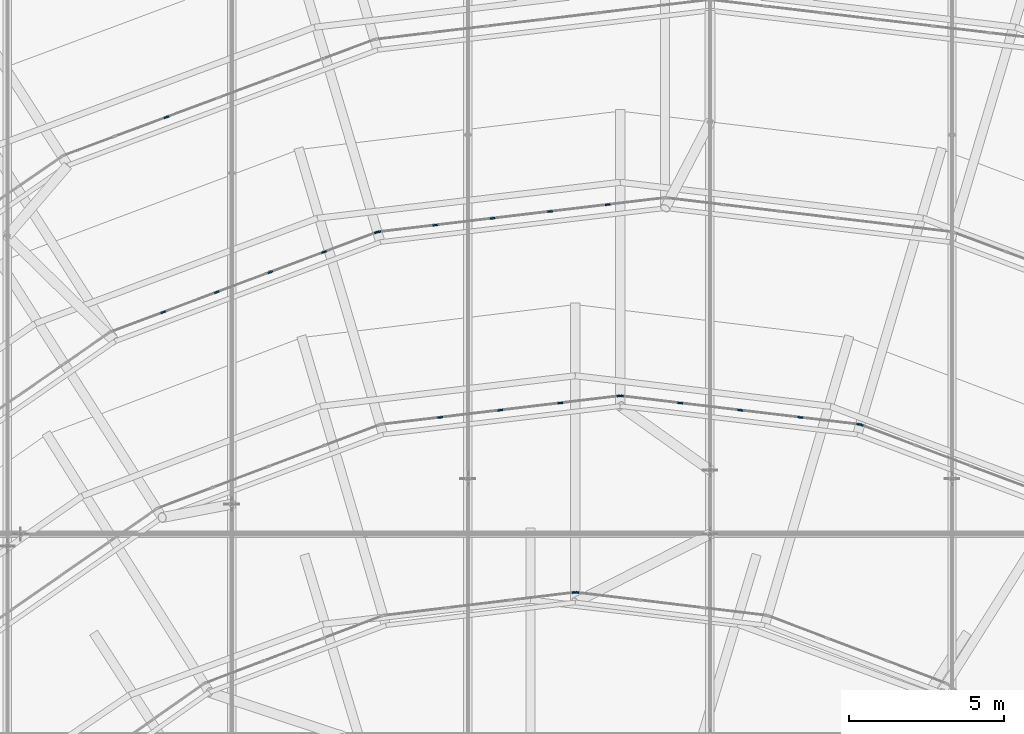
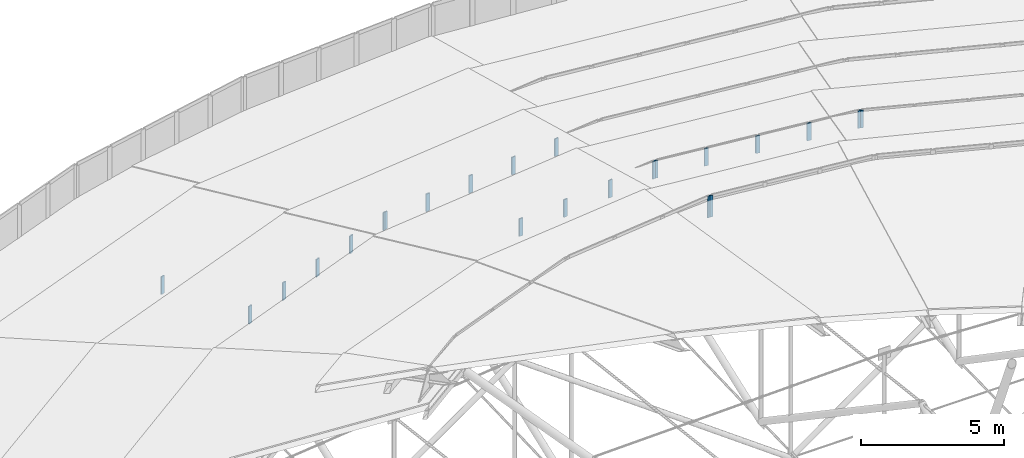
# One storey, part 137 of 173: 23 members, 8 elements without a shape of their own.
"""IFC4 building model written with IfcOpenShell, lengths in metres."""

from ifc_helpers import new_model, si_unit, direction, frame, origin, origin_2d, place, context, subcontext, project, spatial, rectangle, extrude, material, material_profile, profile_set, type_object, element, aggregate, save


model = new_model("IFC4")

# Units and contexts
model_context = context("Model", 3, precision=1e-05, world=origin(), true_north=direction((0.0, 1.0)))
body_context = subcontext(model_context, "Body", "Model", "MODEL_VIEW")
ifc_project = project(units=[si_unit("LENGTHUNIT", "METRE"), si_unit("AREAUNIT", "SQUARE_METRE"), si_unit("VOLUMEUNIT", "CUBIC_METRE"), si_unit("PLANEANGLEUNIT", "RADIAN"), si_unit("MASSUNIT", "GRAM", prefix="KILO")], contexts=[model_context])

# Site, building, storey
site_placement = place(None, origin())
site = spatial("IfcSite", under=ifc_project, at=site_placement, CompositionType="ELEMENT")
building_placement = place(site_placement, origin())
building = spatial("IfcBuilding", under=site, at=building_placement, Name="Glasvene Arena", CompositionType="ELEMENT")
storey_placement = place(building_placement, frame((0.0, 0.0, 28.800048828125)))
storey = spatial("IfcBuildingStorey", under=building, at=storey_placement, Name="RF", CompositionType="ELEMENT", Elevation=28.800048828125)

# Curtain wall, member
ifc_material_1 = material(Name="Low-emissivity laminated double glazing", Category="glass")
curtain_wall_type_1 = type_object("IfcCurtainWallType", Name="CW-PET1-1077x75", PredefinedType="USERDEFINED", material=ifc_material_1)
curtain_wall_1_placement = place(storey_placement, frame((81.16845703125, 109.415283203125, 0.0)))
curtain_wall_1 = element("IfcCurtainWall", 1, at=curtain_wall_1_placement, inside=storey, type_object=curtain_wall_type_1, Name="Petal ring 1-2 clerestory curtain wall 08", ObjectType="CURTAIN WALL", PredefinedType="USERDEFINED")
ifc_material_2 = material(Name="Anodised architectural aluminium", Category="aluminium")
ifc_material_profile = material_profile(ifc_material_2, rectangle(XDim=0.050048828125, YDim=0.159912109375, at=origin_2d()), Name="ALU MULLION 50x160")
ifc_profile_set = profile_set([ifc_material_profile], Name="Anodised architectural aluminium")
member_type = type_object("IfcMemberType", Name="CW-MUL-150", PredefinedType="MULLION", material=ifc_profile_set)
member_1_placement = place(storey_placement, frame((74.439453125, 106.904541015625, 2.579833984375), z_axis=(0.0, 0.0, 1.0), x_axis=(0.349591006176, -0.936902411354, 0.0)))
member_1 = element("IfcMember", 2, at=member_1_placement, type_object=member_type, Name="CW-085 mullion 5", PredefinedType="MULLION", context=body_context, shape_type="SweptSolid", body=[
    extrude(rectangle(XDim=0.050048828125, YDim=0.159912109375, at=origin_2d()), origin(), (0.0, 0.0, 1.0), 0.75),
])
aggregate(curtain_wall_1, [member_1])

# Curtain wall, members
curtain_wall_type_2 = type_object("IfcCurtainWallType", Name="CW-PET2-936x75", PredefinedType="USERDEFINED", material=ifc_material_1)
curtain_wall_2_placement = place(storey_placement, frame((90.550048828125, 104.300048828125, 0.0)))
curtain_wall_2 = element("IfcCurtainWall", 3, at=curtain_wall_2_placement, inside=storey, type_object=curtain_wall_type_2, Name="Petal ring 2-3 clerestory curtain wall 07", ObjectType="CURTAIN WALL", PredefinedType="USERDEFINED")
member_2_placement = place(storey_placement, frame((88.691650390625, 104.078857421875, 5.179931640625), z_axis=(0.0, 0.0, 1.0), x_axis=(0.118166222866, -0.992993828668, 0.0)))
member_2 = element("IfcMember", 4, at=member_2_placement, type_object=member_type, Name="CW-092 mullion 2", PredefinedType="MULLION", context=body_context, shape_type="SweptSolid", body=[
    extrude(rectangle(XDim=0.050048828125, YDim=0.159912109375, at=origin_2d()), origin(), (0.0, 0.0, 1.0), 0.75),
])
member_3_placement = place(storey_placement, frame((86.833251953125, 103.857666015625, 5.179931640625), z_axis=(0.0, 0.0, 1.0), x_axis=(0.118166222866, -0.992993828668, 0.0)))
member_3 = element("IfcMember", 5, at=member_3_placement, type_object=member_type, Name="CW-092 mullion 3", PredefinedType="MULLION", context=body_context, shape_type="SweptSolid", body=[
    extrude(rectangle(XDim=0.050048828125, YDim=0.159912109375, at=origin_2d()), origin(), (0.0, 0.0, 1.0), 0.75),
])
member_4_placement = place(storey_placement, frame((84.97509765625, 103.636474609375, 5.179931640625), z_axis=(0.0, 0.0, 1.0), x_axis=(0.118166222866, -0.992993828668, 0.0)))
member_4 = element("IfcMember", 6, at=member_4_placement, type_object=member_type, Name="CW-092 mullion 4", PredefinedType="MULLION", context=body_context, shape_type="SweptSolid", body=[
    extrude(rectangle(XDim=0.050048828125, YDim=0.159912109375, at=origin_2d()), origin(), (0.0, 0.0, 1.0), 0.75),
])
member_5_placement = place(storey_placement, frame((83.11669921875, 103.41552734375, 5.179931640625), z_axis=(0.0, 0.0, 1.0), x_axis=(0.118166222866, -0.992993828668, 0.0)))
member_5 = element("IfcMember", 7, at=member_5_placement, type_object=member_type, Name="CW-092 mullion 5", PredefinedType="MULLION", context=body_context, shape_type="SweptSolid", body=[
    extrude(rectangle(XDim=0.050048828125, YDim=0.159912109375, at=origin_2d()), origin(), (0.0, 0.0, 1.0), 0.75),
])
member_6_placement = place(storey_placement, frame((81.283203125, 103.197265625, 5.179931640625), z_axis=(0.0, 0.0, 1.0), x_axis=(0.118166222866, -0.992993828668, 0.0)))
member_6 = element("IfcMember", 8, at=member_6_placement, type_object=member_type, Name="CW-092 mullion 6", PredefinedType="MULLION", context=body_context, shape_type="SweptSolid", body=[
    extrude(rectangle(XDim=0.050048828125, YDim=0.159912109375, at=origin_2d()), origin(), (0.0, 0.0, 1.0), 0.75),
])
aggregate(curtain_wall_2, [member_2, member_3, member_4, member_5, member_6])

curtain_wall_type_3 = type_object("IfcCurtainWallType", Name="CW-PET2-925x75", PredefinedType="USERDEFINED", material=ifc_material_1)
curtain_wall_3_placement = place(storey_placement, frame((81.25830078125, 103.1943359375, 0.0)))
curtain_wall_3 = element("IfcCurtainWall", 9, at=curtain_wall_3_placement, inside=storey, type_object=curtain_wall_type_3, Name="Petal ring 2-3 clerestory curtain wall 08", ObjectType="CURTAIN WALL", PredefinedType="USERDEFINED")
member_7_placement = place(storey_placement, frame((81.235107421875, 103.185546875, 5.179931640625), z_axis=(0.0, 0.0, 1.0), x_axis=(0.350639776971, -0.936510409342, 0.0)))
member_7 = element("IfcMember", 10, at=member_7_placement, type_object=member_type, Name="CW-091 mullion 1", PredefinedType="MULLION", context=body_context, shape_type="SweptSolid", body=[
    extrude(rectangle(XDim=0.050048828125, YDim=0.159912109375, at=origin_2d()), origin(), (0.0, 0.0, 1.0), 0.75),
])
member_8_placement = place(storey_placement, frame((79.526611328125, 102.5458984375, 5.179931640625), z_axis=(0.0, 0.0, 1.0), x_axis=(0.350639776971, -0.936510409342, 0.0)))
member_8 = element("IfcMember", 11, at=member_8_placement, type_object=member_type, Name="CW-091 mullion 2", PredefinedType="MULLION", context=body_context, shape_type="SweptSolid", body=[
    extrude(rectangle(XDim=0.050048828125, YDim=0.159912109375, at=origin_2d()), origin(), (0.0, 0.0, 1.0), 0.75),
])
member_9_placement = place(storey_placement, frame((77.794921875, 101.8974609375, 5.179931640625), z_axis=(0.0, 0.0, 1.0), x_axis=(0.350639776971, -0.936510409342, 0.0)))
member_9 = element("IfcMember", 12, at=member_9_placement, type_object=member_type, Name="CW-091 mullion 3", PredefinedType="MULLION", context=body_context, shape_type="SweptSolid", body=[
    extrude(rectangle(XDim=0.050048828125, YDim=0.159912109375, at=origin_2d()), origin(), (0.0, 0.0, 1.0), 0.75),
])
member_10_placement = place(storey_placement, frame((76.0634765625, 101.249267578125, 5.179931640625), z_axis=(0.0, 0.0, 1.0), x_axis=(0.350639776971, -0.936510409342, 0.0)))
member_10 = element("IfcMember", 13, at=member_10_placement, type_object=member_type, Name="CW-091 mullion 4", PredefinedType="MULLION", context=body_context, shape_type="SweptSolid", body=[
    extrude(rectangle(XDim=0.050048828125, YDim=0.159912109375, at=origin_2d()), origin(), (0.0, 0.0, 1.0), 0.75),
])
member_11_placement = place(storey_placement, frame((74.331787109375, 100.600830078125, 5.179931640625), z_axis=(0.0, 0.0, 1.0), x_axis=(0.350639776971, -0.936510409342, 0.0)))
member_11 = element("IfcMember", 14, at=member_11_placement, type_object=member_type, Name="CW-091 mullion 5", PredefinedType="MULLION", context=body_context, shape_type="SweptSolid", body=[
    extrude(rectangle(XDim=0.050048828125, YDim=0.159912109375, at=origin_2d()), origin(), (0.0, 0.0, 1.0), 0.75),
])
aggregate(curtain_wall_3, [member_7, member_8, member_9, member_10, member_11])

# Curtain wall, member
curtain_wall_type_4 = type_object("IfcCurtainWallType", Name="CW-PET3-772x75", PredefinedType="USERDEFINED", material=ifc_material_1)
curtain_wall_4_placement = place(storey_placement, frame((104.074951171875, 94.255859375, 0.0)))
curtain_wall_4 = element("IfcCurtainWall", 15, at=curtain_wall_4_placement, inside=storey, type_object=curtain_wall_type_4, Name="Petal ring 3-4 clerestory curtain wall 05", ObjectType="CURTAIN WALL", PredefinedType="USERDEFINED")
member_12_placement = place(storey_placement, frame((96.875, 96.96435546875, 7.829833984375), z_axis=(0.0, 0.0, 1.0), x_axis=(-0.352091687007, -0.93596551429, 0.0)))
member_12 = element("IfcMember", 16, at=member_12_placement, type_object=member_type, Name="CW-097 mullion 5", PredefinedType="MULLION", context=body_context, shape_type="SweptSolid", body=[
    extrude(rectangle(XDim=0.050048828125, YDim=0.159912109375, at=origin_2d()), origin(), (0.0, 0.0, 1.0), 0.75),
])
aggregate(curtain_wall_4, [member_12])

# Curtain wall, members
curtain_wall_type_5 = type_object("IfcCurtainWallType", Name="CW-PET3-781x75", PredefinedType="USERDEFINED", material=ifc_material_1)
curtain_wall_5_placement = place(storey_placement, frame((96.8515625, 96.97314453125, 0.0)))
curtain_wall_5 = element("IfcCurtainWall", 17, at=curtain_wall_5_placement, inside=storey, type_object=curtain_wall_type_5, Name="Petal ring 3-4 clerestory curtain wall 06", ObjectType="CURTAIN WALL", PredefinedType="USERDEFINED")
member_13_placement = place(storey_placement, frame((96.82666015625, 96.97607421875, 7.829833984375), z_axis=(0.0, 0.0, 1.0), x_axis=(-0.11871688488, -0.992928145056, 0.0)))
member_13 = element("IfcMember", 18, at=member_13_placement, type_object=member_type, Name="CW-098 mullion 1", PredefinedType="MULLION", context=body_context, shape_type="SweptSolid", body=[
    extrude(rectangle(XDim=0.050048828125, YDim=0.159912109375, at=origin_2d()), origin(), (0.0, 0.0, 1.0), 0.75),
])
member_14_placement = place(storey_placement, frame((94.913818359375, 97.204833984375, 7.829833984375), z_axis=(0.0, 0.0, 1.0), x_axis=(-0.11871688488, -0.992928145056, 0.0)))
member_14 = element("IfcMember", 19, at=member_14_placement, type_object=member_type, Name="CW-098 mullion 2", PredefinedType="MULLION", context=body_context, shape_type="SweptSolid", body=[
    extrude(rectangle(XDim=0.050048828125, YDim=0.159912109375, at=origin_2d()), origin(), (0.0, 0.0, 1.0), 0.75),
])
member_15_placement = place(storey_placement, frame((92.975830078125, 97.4365234375, 7.829833984375), z_axis=(0.0, 0.0, 1.0), x_axis=(-0.11871688488, -0.992928145056, 0.0)))
member_15 = element("IfcMember", 20, at=member_15_placement, type_object=member_type, Name="CW-098 mullion 3", PredefinedType="MULLION", context=body_context, shape_type="SweptSolid", body=[
    extrude(rectangle(XDim=0.050048828125, YDim=0.159912109375, at=origin_2d()), origin(), (0.0, 0.0, 1.0), 0.75),
])
member_16_placement = place(storey_placement, frame((91.037841796875, 97.668212890625, 7.829833984375), z_axis=(0.0, 0.0, 1.0), x_axis=(-0.11871688488, -0.992928145056, 0.0)))
member_16 = element("IfcMember", 21, at=member_16_placement, type_object=member_type, Name="CW-098 mullion 4", PredefinedType="MULLION", context=body_context, shape_type="SweptSolid", body=[
    extrude(rectangle(XDim=0.050048828125, YDim=0.159912109375, at=origin_2d()), origin(), (0.0, 0.0, 1.0), 0.75),
])
member_17_placement = place(storey_placement, frame((89.124755859375, 97.89697265625, 7.829833984375), z_axis=(0.0, 0.0, 1.0), x_axis=(-0.11871688488, -0.992928145056, 0.0)))
member_17 = element("IfcMember", 22, at=member_17_placement, type_object=member_type, Name="CW-098 mullion 5", PredefinedType="MULLION", context=body_context, shape_type="SweptSolid", body=[
    extrude(rectangle(XDim=0.050048828125, YDim=0.159912109375, at=origin_2d()), origin(), (0.0, 0.0, 1.0), 0.75),
])
aggregate(curtain_wall_5, [member_13, member_14, member_15, member_16, member_17])

curtain_wall_6_placement = place(storey_placement, frame((89.10009765625, 97.89990234375, 0.0)))
curtain_wall_6 = element("IfcCurtainWall", 23, at=curtain_wall_6_placement, inside=storey, type_object=curtain_wall_type_5, Name="Petal ring 3-4 clerestory curtain wall 07", ObjectType="CURTAIN WALL", PredefinedType="USERDEFINED")
member_18_placement = place(storey_placement, frame((89.0751953125, 97.89697265625, 7.829833984375), z_axis=(0.0, 0.0, 1.0), x_axis=(0.11871688488, -0.992928145056, 0.0)))
member_18 = element("IfcMember", 24, at=member_18_placement, type_object=member_type, Name="CW-098 mullion 1", PredefinedType="MULLION", context=body_context, shape_type="SweptSolid", body=[
    extrude(rectangle(XDim=0.050048828125, YDim=0.159912109375, at=origin_2d()), origin(), (0.0, 0.0, 1.0), 0.75),
])
member_19_placement = place(storey_placement, frame((87.162109375, 97.668212890625, 7.829833984375), z_axis=(0.0, 0.0, 1.0), x_axis=(0.11871688488, -0.992928145056, 0.0)))
member_19 = element("IfcMember", 25, at=member_19_placement, type_object=member_type, Name="CW-098 mullion 2", PredefinedType="MULLION", context=body_context, shape_type="SweptSolid", body=[
    extrude(rectangle(XDim=0.050048828125, YDim=0.159912109375, at=origin_2d()), origin(), (0.0, 0.0, 1.0), 0.75),
])
member_20_placement = place(storey_placement, frame((85.22412109375, 97.4365234375, 7.829833984375), z_axis=(0.0, 0.0, 1.0), x_axis=(0.11871688488, -0.992928145056, 0.0)))
member_20 = element("IfcMember", 26, at=member_20_placement, type_object=member_type, Name="CW-098 mullion 3", PredefinedType="MULLION", context=body_context, shape_type="SweptSolid", body=[
    extrude(rectangle(XDim=0.050048828125, YDim=0.159912109375, at=origin_2d()), origin(), (0.0, 0.0, 1.0), 0.75),
])
member_21_placement = place(storey_placement, frame((83.286376953125, 97.204833984375, 7.829833984375), z_axis=(0.0, 0.0, 1.0), x_axis=(0.11871688488, -0.992928145056, 0.0)))
member_21 = element("IfcMember", 27, at=member_21_placement, type_object=member_type, Name="CW-098 mullion 4", PredefinedType="MULLION", context=body_context, shape_type="SweptSolid", body=[
    extrude(rectangle(XDim=0.050048828125, YDim=0.159912109375, at=origin_2d()), origin(), (0.0, 0.0, 1.0), 0.75),
])
aggregate(curtain_wall_6, [member_18, member_19, member_20, member_21])

# Curtain wall, member
curtain_wall_type_6 = type_object("IfcCurtainWallType", Name="CW-PET4-626x92", PredefinedType="USERDEFINED", material=ifc_material_1)
curtain_wall_7_placement = place(storey_placement, frame((93.86181640625, 90.80029296875, 0.0)))
curtain_wall_7 = element("IfcCurtainWall", 28, at=curtain_wall_7_placement, inside=storey, type_object=curtain_wall_type_6, Name="Petal ring 4-5 clerestory curtain wall 06", ObjectType="CURTAIN WALL", PredefinedType="USERDEFINED")
member_22_placement = place(storey_placement, frame((87.6748046875, 91.547119140625, 10.530029296875), z_axis=(0.0, 0.0, 1.0), x_axis=(-0.119806308194, -0.992797284705, 0.0)))
member_22 = element("IfcMember", 29, at=member_22_placement, type_object=member_type, Name="CW-104 mullion 4", PredefinedType="MULLION", context=body_context, shape_type="SweptSolid", body=[
    extrude(rectangle(XDim=0.050048828125, YDim=0.159912109375, at=origin_2d()), origin(), (0.0, 0.0, 1.0), 0.916015625),
])
aggregate(curtain_wall_7, [member_22])

curtain_wall_8_placement = place(storey_placement, frame((87.64990234375, 91.550048828125, 0.0)))
curtain_wall_8 = element("IfcCurtainWall", 30, at=curtain_wall_8_placement, inside=storey, type_object=curtain_wall_type_6, Name="Petal ring 4-5 clerestory curtain wall 07", ObjectType="CURTAIN WALL", PredefinedType="USERDEFINED")
member_23_placement = place(storey_placement, frame((87.625244140625, 91.547119140625, 10.530029296875), z_axis=(0.0, 0.0, 1.0), x_axis=(0.119806308194, -0.992797284705, 0.0)))
member_23 = element("IfcMember", 31, at=member_23_placement, type_object=member_type, Name="CW-104 mullion 1", PredefinedType="MULLION", context=body_context, shape_type="SweptSolid", body=[
    extrude(rectangle(XDim=0.050048828125, YDim=0.159912109375, at=origin_2d()), origin(), (0.0, 0.0, 1.0), 0.916015625),
])
aggregate(curtain_wall_8, [member_23])

save(model, "model.ifc")
